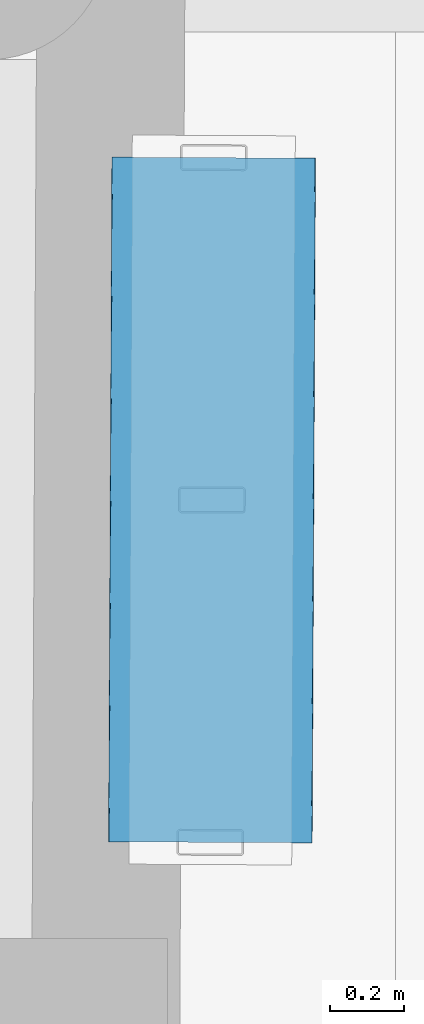
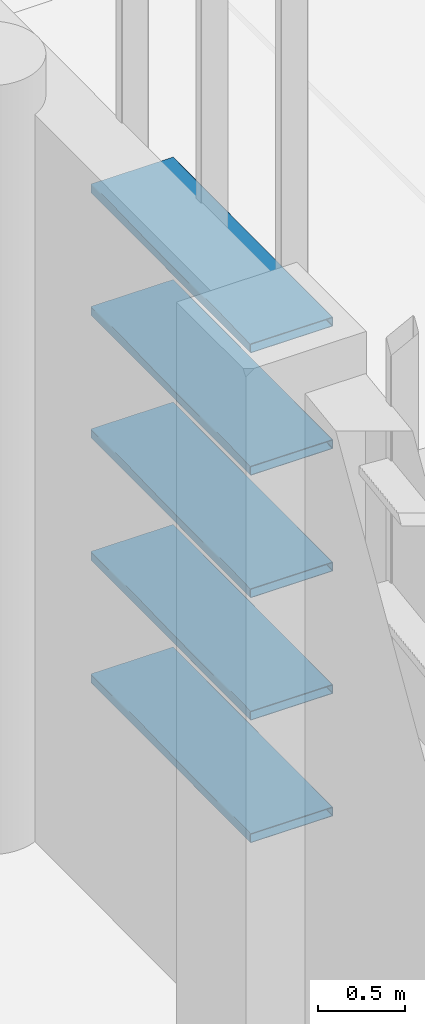
# One storey, part 124 of 372: 5 members.
"""IFC4 building model written with IfcOpenShell, lengths in metres."""

from ifc_helpers import new_model, si_unit, direction, frame, origin, origin_2d, place, context, subcontext, project, spatial, hollow_rectangle, extrude, material, material_profile, profile_set, type_object, element, save


model = new_model("IFC4")

# Units and contexts
model_context = context("Model", 3, precision=1e-05, world=origin(), true_north=direction((0.0, 1.0)))
body_context = subcontext(model_context, "Body", "Model", "MODEL_VIEW")
ifc_project = project(units=[si_unit("LENGTHUNIT", "METRE"), si_unit("AREAUNIT", "SQUARE_METRE"), si_unit("VOLUMEUNIT", "CUBIC_METRE"), si_unit("PLANEANGLEUNIT", "RADIAN"), si_unit("MASSUNIT", "GRAM", prefix="KILO")], contexts=[model_context])

# Site, building, storey
site_placement = place(None, origin())
site = spatial("IfcSite", under=ifc_project, at=site_placement, CompositionType="ELEMENT")
building_placement = place(site_placement, origin())
building = spatial("IfcBuilding", under=site, at=building_placement, Name="Kaelora Sail Theatre", CompositionType="ELEMENT")
storey_placement = place(building_placement, origin())
storey = spatial("IfcBuildingStorey", under=building, at=storey_placement, Name="L00", CompositionType="ELEMENT", Elevation=0.0)

# Members
ifc_material = material(Name="Anodised aluminium 6063-T6", Category="aluminium")
ifc_material_profile = material_profile(ifc_material, hollow_rectangle(XDim=0.550048828125, YDim=0.06494140625, WallThickness=0.00390625, InnerFilletRadius=0.00390625, OuterFilletRadius=0.008056640625, at=origin_2d()), Name="LOUVRE 550x65x4")
ifc_profile_set = profile_set([ifc_material_profile], Name="Anodised aluminium 6063-T6")
member_type = type_object("IfcMemberType", Name="ARC-MEM-LVR-300", PredefinedType="USERDEFINED", material=ifc_profile_set)
for number, where, z_axis, x_axis, name in (
    (1, (58.808837890625, 52.990478515625, 1.25), (-0.00488636533, -0.999988061646, 0.0), (0.999988061646, -0.00488636533, 0.0), "Main Theatre Sail Drum horizontal solar louvre C2-01"),
    (2, (58.808837890625, 52.990478515625, 2.110107421875), (-0.00488636533, -0.999988061646, 0.0), (0.999988061646, -0.00488636533, 0.0), "Main Theatre Sail Drum horizontal solar louvre C2-02"),
    (3, (58.808837890625, 52.990478515625, 2.969970703125), (-0.00488636533, -0.999988061646, 0.0), (0.999988061646, -0.00488636533, 0.0), "Main Theatre Sail Drum horizontal solar louvre C2-03"),
    (4, (58.808837890625, 52.990478515625, 3.830078125), (-0.00488636533, -0.999988061646, 0.0), (0.999988061646, -0.00488636533, 0.0), "Main Theatre Sail Drum horizontal solar louvre C2-04"),
    (5, (58.808837890625, 52.990478515625, 4.68994140625), (-0.00488636533, -0.999988061646, 0.0), (0.999988061646, -0.00488636533, 0.0), "Main Theatre Sail Drum horizontal solar louvre C2-05"),
):
    element("IfcMember", number, at=place(storey_placement, frame(where, z_axis=z_axis, x_axis=x_axis)), inside=storey, type_object=member_type, Name=name, ObjectType="LOUVRE", PredefinedType="USERDEFINED", context=body_context, shape_type="SweptSolid", body=[
        extrude(hollow_rectangle(XDim=0.550048828125, YDim=0.06494140625, WallThickness=0.00390625, InnerFilletRadius=0.00390625, OuterFilletRadius=0.008056640625, at=origin_2d()), origin(), (0.0, 0.0, 1.0), 1.8486328125),
    ])

save(model, "model.ifc")
